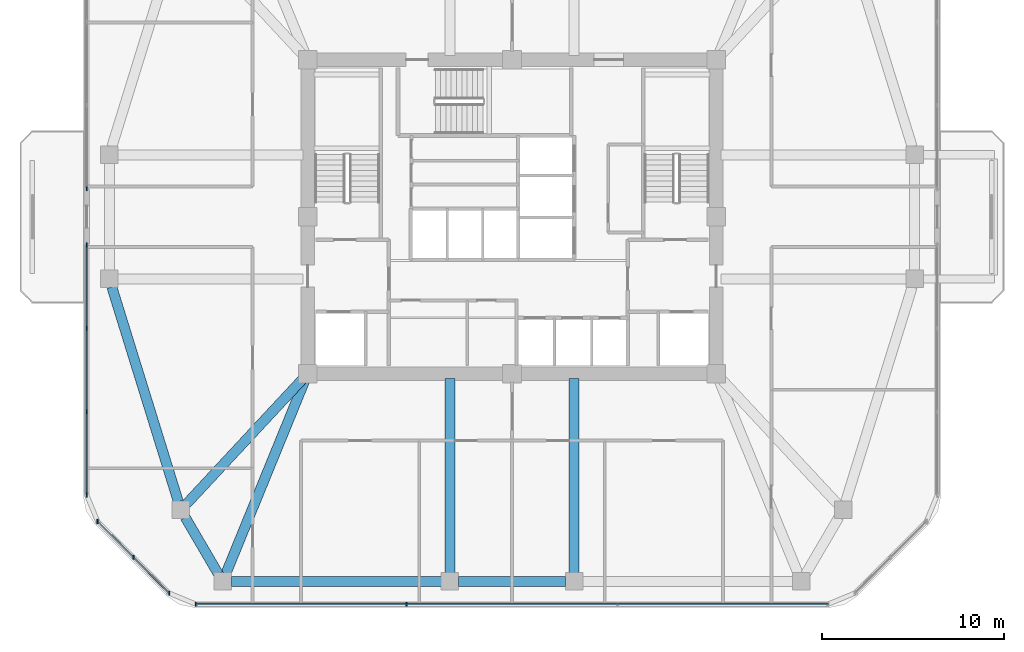
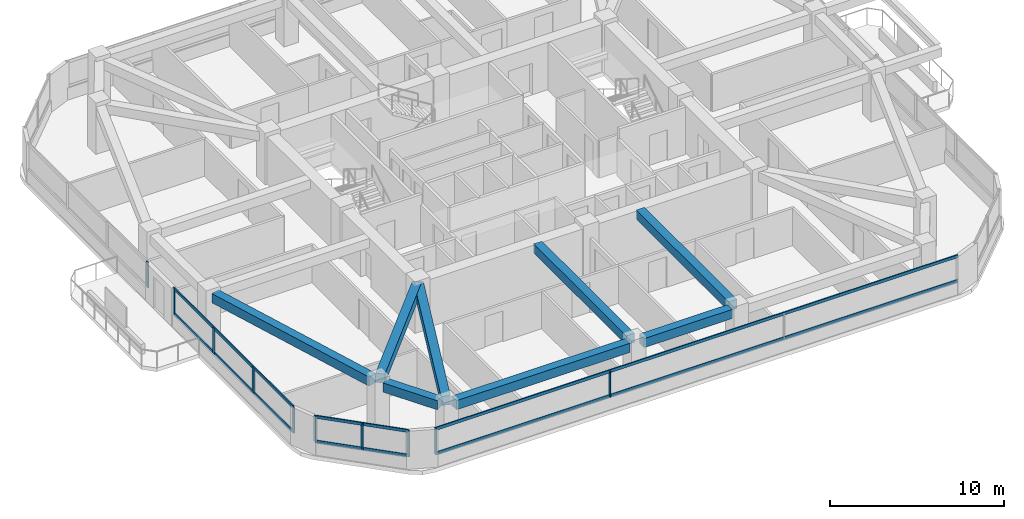
# One storey, part 2 of 13: 16 members, 8 beams, 4 elements without a shape of their own.
"""IFC4 building model written with IfcOpenShell, lengths in metres."""

from ifc_helpers import new_model, si_unit, derived_unit, direction, frame, origin, origin_2d, place, context, subcontext, project, spatial, rectangle, extrude, material, material_profile, profile_set, type_object, element, aggregate, save


model = new_model("IFC4")

# Units and contexts
model_context = context("Model", 3, precision=1e-05, world=origin(), true_north=direction((0.0, 1.0)))
body_context = subcontext(model_context, "Body", "Model", "MODEL_VIEW")
ifc_project = project(units=[si_unit("LENGTHUNIT", "METRE"), si_unit("AREAUNIT", "SQUARE_METRE"), si_unit("VOLUMEUNIT", "CUBIC_METRE"), si_unit("PLANEANGLEUNIT", "RADIAN"), si_unit("MASSUNIT", "GRAM", prefix="KILO"), derived_unit("THERMALTRANSMITTANCEUNIT", [(si_unit("POWERUNIT", "WATT"), 1), (si_unit("LENGTHUNIT", "METRE"), -2), (si_unit("THERMODYNAMICTEMPERATUREUNIT", "KELVIN"), -1)])], contexts=[model_context])

# Site, building, storey
site_placement = place(None, origin())
site = spatial("IfcSite", under=ifc_project, at=site_placement, CompositionType="ELEMENT")
building_placement = place(site_placement, origin())
building = spatial("IfcBuilding", under=site, at=building_placement, Name="Koralith Skygarden Medical Center", CompositionType="ELEMENT")
storey_placement = place(building_placement, frame((0.0, 0.0, 142.02001953125)))
storey = spatial("IfcBuildingStorey", under=building, at=storey_placement, Name="L36", CompositionType="ELEMENT", Elevation=142.02001953125)

# Curtain wall, members
ifc_material_1 = material(Name="Clear Laminated Glass", Category="glass")
curtain_wall_type = type_object("IfcCurtainWallType", Name="CW-4 Zone 3 Waist High-Wind Curtain Wall", PredefinedType="NOTDEFINED", material=ifc_material_1)
curtain_wall_1_placement = place(storey_placement, origin())
curtain_wall_1 = element("IfcCurtainWall", 1, at=curtain_wall_1_placement, inside=storey, type_object=curtain_wall_type, Name="Curtain Wall CW-L36-S", PredefinedType="NOTDEFINED")
ifc_material_2 = material(Name="Aluminium 6063-T6", Category="aluminium")
ifc_material_profile_1 = material_profile(ifc_material_2, rectangle(XDim=0.076904296875, YDim=0.22998046875, at=origin_2d()), Name="MUL77X230")
ifc_profile_set_1 = profile_set([ifc_material_profile_1], Name="Aluminium 6063-T6")
member_type_1 = type_object("IfcMemberType", Name="CW-4 Extruded Mullion 77x230", PredefinedType="MULLION", material=ifc_profile_set_1)
member_1_placement = place(storey_placement, frame((19.6708984375, 4.679931640625, 0.85009765625), z_axis=(0.0, 0.0, 1.0), x_axis=(1.0, 0.0, 0.0)))
member_1 = element("IfcMember", 2, at=member_1_placement, type_object=member_type_1, Name="CW-L36-S Mullion 1", PredefinedType="MULLION", context=body_context, shape_type="SweptSolid", body=[
    extrude(rectangle(XDim=0.076904296875, YDim=0.22998046875, at=origin_2d()), origin(), (0.0, 0.0, 1.0), 1.81982421875),
])
member_2_placement = place(storey_placement, frame((31.22412109375, 4.679931640625, 0.85009765625), z_axis=(0.0, 0.0, 1.0), x_axis=(1.0, 0.0, 0.0)))
member_2 = element("IfcMember", 3, at=member_2_placement, type_object=member_type_1, Name="CW-L36-S Mullion 2", PredefinedType="MULLION", context=body_context, shape_type="SweptSolid", body=[
    extrude(rectangle(XDim=0.076904296875, YDim=0.22998046875, at=origin_2d()), origin(), (0.0, 0.0, 1.0), 1.81982421875),
])

# Curtain wall, member
curtain_wall_2_placement = place(storey_placement, origin())
curtain_wall_2 = element("IfcCurtainWall", 4, at=curtain_wall_2_placement, inside=storey, type_object=curtain_wall_type, Name="Curtain Wall CW-L36-W-L", PredefinedType="NOTDEFINED")
member_3_placement = place(storey_placement, frame((13.696044921875, 27.43994140625, 0.85009765625), z_axis=(0.0, 0.0, 1.0), x_axis=(1.0, 0.0, 0.0)))
member_3 = element("IfcMember", 5, at=member_3_placement, type_object=member_type_1, Name="CW-L36-W-L Mullion 4", PredefinedType="MULLION", context=body_context, shape_type="SweptSolid", body=[
    extrude(rectangle(XDim=0.076904296875, YDim=0.22998046875, at=origin_2d()), origin(), (0.0, 0.0, 1.0), 1.81982421875),
])
aggregate(curtain_wall_2, [member_3])

# Curtain wall, members
curtain_wall_3_placement = place(storey_placement, origin())
curtain_wall_3 = element("IfcCurtainWall", 6, at=curtain_wall_3_placement, inside=storey, type_object=curtain_wall_type, Name="Curtain Wall CW-L36-W-R", PredefinedType="NOTDEFINED")
member_4_placement = place(storey_placement, frame((13.696044921875, 24.360107421875, 0.85009765625), z_axis=(0.0, 0.0, 1.0), x_axis=(1.0, 0.0, 0.0)))
member_4 = element("IfcMember", 7, at=member_4_placement, type_object=member_type_1, Name="CW-L36-W-R Mullion 1", PredefinedType="MULLION", context=body_context, shape_type="SweptSolid", body=[
    extrude(rectangle(XDim=0.076904296875, YDim=0.22998046875, at=origin_2d()), origin(), (0.0, 0.0, 1.0), 1.81982421875),
])
member_5_placement = place(storey_placement, frame((13.696044921875, 19.7919921875, 0.85009765625), z_axis=(0.0, 0.0, 1.0), x_axis=(1.0, 0.0, 0.0)))
member_5 = element("IfcMember", 8, at=member_5_placement, type_object=member_type_1, Name="CW-L36-W-R Mullion 2", PredefinedType="MULLION", context=body_context, shape_type="SweptSolid", body=[
    extrude(rectangle(XDim=0.076904296875, YDim=0.22998046875, at=origin_2d()), origin(), (0.0, 0.0, 1.0), 1.81982421875),
])
member_6_placement = place(storey_placement, frame((13.696044921875, 15.222900390625, 0.85009765625), z_axis=(0.0, 0.0, 1.0), x_axis=(1.0, 0.0, 0.0)))
member_6 = element("IfcMember", 9, at=member_6_placement, type_object=member_type_1, Name="CW-L36-W-R Mullion 3", PredefinedType="MULLION", context=body_context, shape_type="SweptSolid", body=[
    extrude(rectangle(XDim=0.076904296875, YDim=0.22998046875, at=origin_2d()), origin(), (0.0, 0.0, 1.0), 1.81982421875),
])
member_7_placement = place(storey_placement, frame((13.696044921875, 10.655029296875, 0.85009765625), z_axis=(0.0, 0.0, 1.0), x_axis=(1.0, 0.0, 0.0)))
member_7 = element("IfcMember", 10, at=member_7_placement, type_object=member_type_1, Name="CW-L36-W-R Mullion 4", PredefinedType="MULLION", context=body_context, shape_type="SweptSolid", body=[
    extrude(rectangle(XDim=0.076904296875, YDim=0.22998046875, at=origin_2d()), origin(), (0.0, 0.0, 1.0), 1.81982421875),
])

curtain_wall_4_placement = place(storey_placement, origin())
curtain_wall_4 = element("IfcCurtainWall", 11, at=curtain_wall_4_placement, inside=storey, type_object=curtain_wall_type, Name="Curtain Wall CW-L36-SW", PredefinedType="NOTDEFINED")
member_8_placement = place(storey_placement, frame((14.297119140625, 9.2041015625, 0.85009765625), z_axis=(0.0, 0.0, 1.0), x_axis=(1.0, 0.0, 0.0)))
member_8 = element("IfcMember", 12, at=member_8_placement, type_object=member_type_1, Name="CW-L36-SW Mullion 1", PredefinedType="MULLION", context=body_context, shape_type="SweptSolid", body=[
    extrude(rectangle(XDim=0.076904296875, YDim=0.22998046875, at=origin_2d()), origin(), (0.0, 0.0, 1.0), 1.81982421875),
])
member_9_placement = place(storey_placement, frame((16.258056640625, 7.241943359375, 0.85009765625), z_axis=(0.0, 0.0, 1.0), x_axis=(1.0, 0.0, 0.0)))
member_9 = element("IfcMember", 13, at=member_9_placement, type_object=member_type_1, Name="CW-L36-SW Mullion 2", PredefinedType="MULLION", context=body_context, shape_type="SweptSolid", body=[
    extrude(rectangle(XDim=0.076904296875, YDim=0.22998046875, at=origin_2d()), origin(), (0.0, 0.0, 1.0), 1.81982421875),
])
member_10_placement = place(storey_placement, frame((18.219970703125, 5.281005859375, 0.85009765625), z_axis=(0.0, 0.0, 1.0), x_axis=(1.0, 0.0, 0.0)))
member_10 = element("IfcMember", 14, at=member_10_placement, type_object=member_type_1, Name="CW-L36-SW Mullion 3", PredefinedType="MULLION", context=body_context, shape_type="SweptSolid", body=[
    extrude(rectangle(XDim=0.076904296875, YDim=0.22998046875, at=origin_2d()), origin(), (0.0, 0.0, 1.0), 1.81982421875),
])

# Member
ifc_material_profile_2 = material_profile(ifc_material_2, rectangle(XDim=0.072021484375, YDim=0.20703125, at=origin_2d()), Name="TRN72X207")
ifc_profile_set_2 = profile_set([ifc_material_profile_2], Name="Aluminium 6063-T6")
member_type_2 = type_object("IfcMemberType", Name="CW-4 Thermal Transom 72x207", PredefinedType="USERDEFINED", material=ifc_profile_set_2)
member_11_placement = place(storey_placement, frame((19.6708984375, 4.679931640625, 0.89990234375), z_axis=(1.0, 0.0, 0.0), x_axis=(0.0, 1.0, 0.0)))
member_11 = element("IfcMember", 15, at=member_11_placement, type_object=member_type_2, Name="CW-L36-S Transom 1", ObjectType="TRANSOM", PredefinedType="USERDEFINED", context=body_context, shape_type="SweptSolid", body=[
    extrude(rectangle(XDim=0.072021484375, YDim=0.20703125, at=origin_2d()), origin(), (0.0, 0.0, 1.0), 34.658203125),
])

member_12_placement = place(storey_placement, frame((19.6708984375, 4.679931640625, 2.619873046875), z_axis=(1.0, 0.0, 0.0), x_axis=(0.0, 1.0, 0.0)))
member_12 = element("IfcMember", 16, at=member_12_placement, type_object=member_type_2, Name="CW-L36-S Transom 2", ObjectType="TRANSOM", PredefinedType="USERDEFINED", context=body_context, shape_type="SweptSolid", body=[
    extrude(rectangle(XDim=0.072021484375, YDim=0.20703125, at=origin_2d()), origin(), (0.0, 0.0, 1.0), 34.658203125),
])

aggregate(curtain_wall_1, [member_1, member_2, member_11, member_12])

member_13_placement = place(storey_placement, frame((13.696044921875, 24.360107421875, 0.89990234375), z_axis=(0.0, -1.0, 0.0), x_axis=(1.0, 0.0, 0.0)))
member_13 = element("IfcMember", 17, at=member_13_placement, type_object=member_type_2, Name="CW-L36-W-R Transom 1", ObjectType="TRANSOM", PredefinedType="USERDEFINED", context=body_context, shape_type="SweptSolid", body=[
    extrude(rectangle(XDim=0.072021484375, YDim=0.20703125, at=origin_2d()), origin(), (0.0, 0.0, 1.0), 13.705078125),
])

member_14_placement = place(storey_placement, frame((13.696044921875, 24.360107421875, 2.619873046875), z_axis=(0.0, -1.0, 0.0), x_axis=(1.0, 0.0, 0.0)))
member_14 = element("IfcMember", 18, at=member_14_placement, type_object=member_type_2, Name="CW-L36-W-R Transom 2", ObjectType="TRANSOM", PredefinedType="USERDEFINED", context=body_context, shape_type="SweptSolid", body=[
    extrude(rectangle(XDim=0.072021484375, YDim=0.20703125, at=origin_2d()), origin(), (0.0, 0.0, 1.0), 13.705078125),
])

aggregate(curtain_wall_3, [member_4, member_5, member_6, member_7, member_13, member_14])

member_15_placement = place(storey_placement, frame((14.297119140625, 9.2041015625, 0.89990234375), z_axis=(0.707084777957, -0.707128783731, 0.0), x_axis=(0.707128783731, 0.707084777957, 0.0)))
member_15 = element("IfcMember", 19, at=member_15_placement, type_object=member_type_2, Name="CW-L36-SW Transom 1", ObjectType="TRANSOM", PredefinedType="USERDEFINED", context=body_context, shape_type="SweptSolid", body=[
    extrude(rectangle(XDim=0.072021484375, YDim=0.20703125, at=origin_2d()), origin(), (0.0, 0.0, 1.0), 5.5478515625),
])

member_16_placement = place(storey_placement, frame((14.297119140625, 9.2041015625, 2.619873046875), z_axis=(0.707084777957, -0.707128783731, 0.0), x_axis=(0.707128783731, 0.707084777957, 0.0)))
member_16 = element("IfcMember", 20, at=member_16_placement, type_object=member_type_2, Name="CW-L36-SW Transom 2", ObjectType="TRANSOM", PredefinedType="USERDEFINED", context=body_context, shape_type="SweptSolid", body=[
    extrude(rectangle(XDim=0.072021484375, YDim=0.20703125, at=origin_2d()), origin(), (0.0, 0.0, 1.0), 5.5478515625),
])

aggregate(curtain_wall_4, [member_8, member_9, member_10, member_15, member_16])

# Beams
ifc_material_3 = material(Name="Concrete C45/55", Category="concrete")
ifc_material_profile_3 = material_profile(ifc_material_3, rectangle(XDim=0.550048828125, YDim=0.639892578125, at=origin_2d()), Name="RCB550X640")
ifc_profile_set_3 = profile_set([ifc_material_profile_3], Name="Concrete C45/55")
beam_type_1 = type_object("IfcBeamType", Name="Radial Collector Beam RCB550X640", PredefinedType="BEAM", material=ifc_profile_set_3)
beam_1_placement = place(storey_placement, frame((25.6298828125, 17.116943359375, 3.0), z_axis=(-0.681369011591, -0.731940072713, 0.0), x_axis=(0.731940072713, -0.681369011591, 0.0)))
element("IfcBeam", 21, at=beam_1_placement, inside=storey, type_object=beam_type_1, Name="L36 Radial Collector Beam RB-02", PredefinedType="BEAM", context=body_context, shape_type="SweptSolid", body=[
    extrude(rectangle(XDim=0.550048828125, YDim=0.639892578125, at=origin_2d()), origin(), (0.0, 0.0, 1.0), 9.471923828125),
])
beam_2_placement = place(storey_placement, frame((25.705078125, 17.069091796875, 3.0), z_axis=(-0.378344544364, -0.92566484526, 0.0), x_axis=(0.92566484526, -0.378344544364, 0.0)))
element("IfcBeam", 22, at=beam_2_placement, inside=storey, type_object=beam_type_1, Name="L36 Radial Collector Beam RB-03", PredefinedType="BEAM", context=body_context, shape_type="SweptSolid", body=[
    extrude(rectangle(XDim=0.550048828125, YDim=0.639892578125, at=origin_2d()), origin(), (0.0, 0.0, 1.0), 11.574462890625),
])
for number, where, z_axis, x_axis, name in (
    (23, (33.60009765625, 17.050048828125, 3.0), (0.0, -1.0, 0.0), (1.0, 0.0, 0.0), "L36 Radial Collector Beam RB-04"),
    (24, (40.39990234375, 17.050048828125, 3.0), (0.0, -1.0, 0.0), (1.0, 0.0, 0.0), "L36 Radial Collector Beam RB-05"),
):
    element("IfcBeam", number, at=place(storey_placement, frame(where, z_axis=z_axis, x_axis=x_axis)), inside=storey, type_object=beam_type_1, Name=name, PredefinedType="BEAM", context=body_context, shape_type="SweptSolid", body=[
        extrude(rectangle(XDim=0.550048828125, YDim=0.639892578125, at=origin_2d()), origin(), (0.0, 0.0, 1.0), 10.66015625),
    ])
ifc_material_profile_4 = material_profile(ifc_material_3, rectangle(XDim=0.550048828125, YDim=0.639892578125, at=origin_2d()), Name="RCB550X640")
ifc_profile_set_4 = profile_set([ifc_material_profile_4], Name="Concrete C45/55")
beam_type_2 = type_object("IfcBeamType", Name="Zone 2-3 Spandrel Beam RCB550X640", PredefinedType="SPANDREL", material=ifc_profile_set_4)
beam_3_placement = place(storey_placement, frame((15.074951171875, 22.051025390625, 3.0), z_axis=(0.295793585147, -0.955251880389, 0.0), x_axis=(0.955251880389, 0.295793585147, 0.0)))
element("IfcBeam", 25, at=beam_3_placement, inside=storey, type_object=beam_type_2, Name="L36 Perimeter Spandrel Beam SP-01", PredefinedType="SPANDREL", context=body_context, shape_type="SweptSolid", body=[
    extrude(rectangle(XDim=0.550048828125, YDim=0.639892578125, at=origin_2d()), origin(), (0.0, 0.0, 1.0), 12.31298828125),
])
beam_4_placement = place(storey_placement, frame((19.093017578125, 9.43408203125, 3.0), z_axis=(0.504861391295, -0.863200426077, 0.0), x_axis=(0.863200426077, 0.504861391295, 0.0)))
element("IfcBeam", 26, at=beam_4_placement, inside=storey, type_object=beam_type_2, Name="L36 Perimeter Spandrel Beam SP-02", PredefinedType="SPANDREL", context=body_context, shape_type="SweptSolid", body=[
    extrude(rectangle(XDim=0.550048828125, YDim=0.639892578125, at=origin_2d()), origin(), (0.0, 0.0, 1.0), 3.600830078125),
])
beam_5_placement = place(storey_placement, frame((21.617919921875, 5.919921875, 3.0), z_axis=(1.0, 0.0, 0.0), x_axis=(0.0, 1.0, 0.0)))
element("IfcBeam", 27, at=beam_5_placement, inside=storey, type_object=beam_type_2, Name="L36 Perimeter Spandrel Beam SP-03", PredefinedType="SPANDREL", context=body_context, shape_type="SweptSolid", body=[
    extrude(rectangle(XDim=0.550048828125, YDim=0.639892578125, at=origin_2d()), origin(), (0.0, 0.0, 1.0), 11.511962890625),
])
beam_6_placement = place(storey_placement, frame((34.070068359375, 5.919921875, 3.0), z_axis=(1.0, 0.0, 0.0), x_axis=(0.0, 1.0, 0.0)))
element("IfcBeam", 28, at=beam_6_placement, inside=storey, type_object=beam_type_2, Name="L36 Perimeter Spandrel Beam SP-04", PredefinedType="SPANDREL", context=body_context, shape_type="SweptSolid", body=[
    extrude(rectangle(XDim=0.550048828125, YDim=0.639892578125, at=origin_2d()), origin(), (0.0, 0.0, 1.0), 5.85986328125),
])

save(model, "model.ifc")
